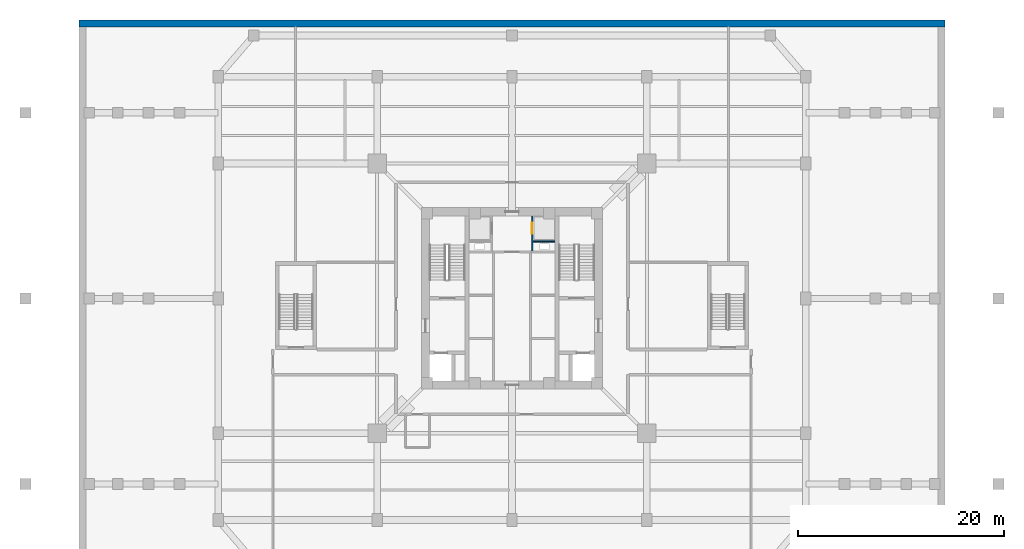
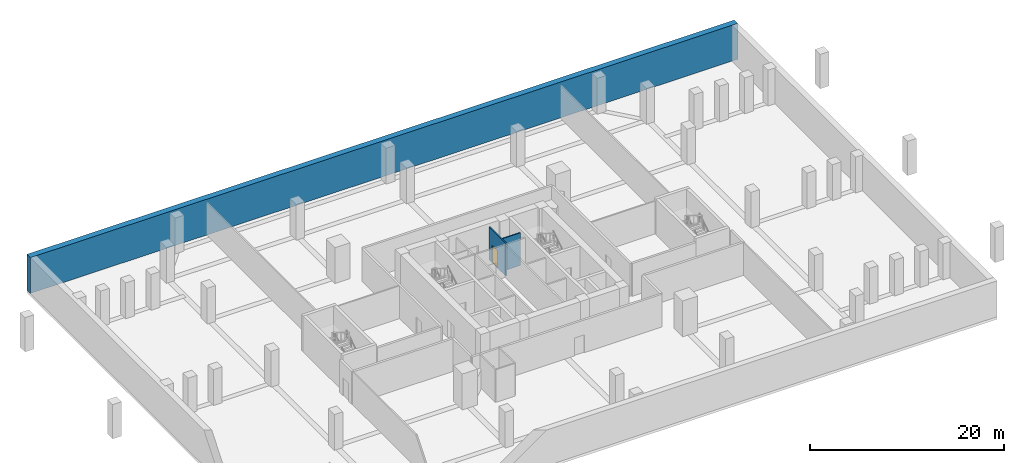
# One storey, part 4 of 9: 3 walls, 1 door, 1 opening.
"""IFC4 building model written with IfcOpenShell, lengths in metres."""

import ifcopenshell
import ifcopenshell.guid

model = None  # the IFC model being written
_history = None  # IfcOwnerHistory: only IFC2X3 demands one
_inside = {}  # id of a spatial element -> (the spatial element, [elements in it])
_under = {}  # id of a project, library or spatial element -> (it, [spatial elements below it])
_declared = {}  # id of a project -> (the project, [libraries it declares])
_typed = {}  # id of a type object -> (the type object, [elements of that type])
_made_of = {}  # id of a material, layer set ... -> (it, [elements and type objects made of it])


def new_model(schema):
    """Start an empty IFC model of exactly this schema.

    Asked for "IFC4X3", IfcOpenShell would pick the latest addendum, in which some entities
    have other attributes; the version numbers below select the first issue.
    IFC2X3 requires an IfcOwnerHistory on every rooted entity: one is made here for all.
    """
    global model, _history
    if schema == "IFC4X3":
        model = ifcopenshell.file(schema_version=(4, 3, 0, 0))
    else:
        model = ifcopenshell.file(schema=schema)
    _inside.clear()
    _under.clear()
    _declared.clear()
    _typed.clear()
    _made_of.clear()
    _history = None
    if model.schema == "IFC2X3":
        org = make("IfcOrganization", Name="unknown")
        user = make(
            "IfcPersonAndOrganization",
            ThePerson=make("IfcPerson", FamilyName="unknown"),
            TheOrganization=org,
        )
        app = make(
            "IfcApplication",
            ApplicationDeveloper=org,
            Version="unknown",
            ApplicationFullName="unknown",
            ApplicationIdentifier="unknown",
        )
        _history = make(
            "IfcOwnerHistory",
            OwningUser=user,
            OwningApplication=app,
            ChangeAction="ADDED",
            CreationDate=0,
        )
    return model


def make(cls, **values):
    """One entity of the class cls with the attributes given. An attribute that is None is left unset."""
    return model.create_entity(
        cls, **{name: value for name, value in values.items() if value is not None}
    )


def rooted(cls, **values):
    """An entity with a GlobalId (a new one), such as an element, a storey or a relation."""
    return make(cls, GlobalId=ifcopenshell.guid.new(), OwnerHistory=_history, **values)


def si_unit(unit_type, name, prefix=None):
    """IfcSIUnit, for example si_unit("LENGTHUNIT", "METRE", prefix="MILLI")."""
    return make("IfcSIUnit", UnitType=unit_type, Prefix=prefix, Name=name)


def assignment(units):
    """IfcUnitAssignment: the units of a project."""
    return None if units is None else make("IfcUnitAssignment", Units=units)


def point(xyz):
    """IfcCartesianPoint."""
    return None if xyz is None else make("IfcCartesianPoint", Coordinates=xyz)


def direction(xyz):
    """IfcDirection."""
    return None if xyz is None else make("IfcDirection", DirectionRatios=xyz)


def frame(location, z_axis=None, x_axis=None):
    """IfcAxis2Placement3D, a coordinate frame: its origin and axes. An axis left out is left unset."""
    return make(
        "IfcAxis2Placement3D",
        Location=point(location),
        Axis=direction(z_axis),
        RefDirection=direction(x_axis),
    )


def frame_2d(location, x_axis=None):
    """IfcAxis2Placement2D, a coordinate frame in the plane: its origin and x axis."""
    return make(
        "IfcAxis2Placement2D", Location=point(location), RefDirection=direction(x_axis)
    )


def origin():
    """The frame at (0, 0, 0) with its axes left unset."""
    return frame((0.0, 0.0, 0.0))


def place(relative_to, where):
    """IfcLocalPlacement: puts the frame where relative to a parent placement (None: the world)."""
    return make(
        "IfcLocalPlacement", PlacementRelTo=relative_to, RelativePlacement=where
    )


def context(
    kind, dimensions, precision=None, world=None, true_north=None, identifier=None
):
    """IfcGeometricRepresentationContext, for example the 3D "Model" context."""
    return make(
        "IfcGeometricRepresentationContext",
        ContextIdentifier=identifier,
        ContextType=kind,
        CoordinateSpaceDimension=dimensions,
        Precision=precision,
        WorldCoordinateSystem=world,
        TrueNorth=true_north,
    )


def subcontext(parent, identifier, kind, view, scale=None):
    """IfcGeometricRepresentationSubContext, for example "Body" below "Model"."""
    return make(
        "IfcGeometricRepresentationSubContext",
        ContextIdentifier=identifier,
        ContextType=kind,
        ParentContext=parent,
        TargetScale=scale,
        TargetView=view,
    )


def project(units=None, contexts=None):
    """IfcProject with its units and contexts."""
    return rooted(
        "IfcProject",
        Name="project",
        RepresentationContexts=contexts,
        UnitsInContext=assignment(units),
    )


def spatial(cls, under=None, at=None, **own):
    """A site, building, storey or space (cls), placed at a placement, below another one or the project."""
    s = rooted(cls, ObjectPlacement=at, **own)
    if under is not None:
        _under.setdefault(under.id(), (under, []))[1].append(s)
    return s


def profile(cls, at=None, kind="AREA", **sizes):
    """A parametric profile (cls). Its sizes go by their IFC names, for example OverallWidth=200.0."""
    return make(cls, ProfileType=kind, Position=at, **sizes)


def rectangle(**sizes):
    """IfcRectangleProfileDef."""
    return profile("IfcRectangleProfileDef", **sizes)


def extrude(swept, where, along, depth):
    """IfcExtrudedAreaSolid: the profile swept, set in the frame where, extruded along a direction by depth."""
    return make(
        "IfcExtrudedAreaSolid",
        SweptArea=swept,
        Position=where,
        ExtrudedDirection=direction(along),
        Depth=depth,
    )


def shape(context_of_items, identifier, shape_type, items):
    """IfcShapeRepresentation: the items that make up one representation, for example the "Body"."""
    return make(
        "IfcShapeRepresentation",
        ContextOfItems=context_of_items,
        RepresentationIdentifier=identifier,
        RepresentationType=shape_type,
        Items=items,
    )


def source(mapping_origin, context_of_items, identifier, shape_type, items):
    """IfcRepresentationMap: a shape defined once, which mapped items show again and again."""
    return make(
        "IfcRepresentationMap",
        MappingOrigin=mapping_origin,
        MappedRepresentation=shape(context_of_items, identifier, shape_type, items),
    )


def transform(
    local_origin,
    x_axis=None,
    y_axis=None,
    z_axis=None,
    scale=None,
    scale2=None,
    scale3=None,
    uniform=True,
):
    """IfcCartesianTransformationOperator3D, or its non-uniform kind. x_axis, y_axis, z_axis: its Axis1, 2, 3."""
    if uniform:
        return make(
            "IfcCartesianTransformationOperator3D",
            Axis1=direction(x_axis),
            Axis2=direction(y_axis),
            LocalOrigin=point(local_origin),
            Scale=scale,
            Axis3=direction(z_axis),
        )
    return make(
        "IfcCartesianTransformationOperator3DnonUniform",
        Axis1=direction(x_axis),
        Axis2=direction(y_axis),
        LocalOrigin=point(local_origin),
        Scale=scale,
        Axis3=direction(z_axis),
        Scale2=scale2,
        Scale3=scale3,
    )


def mapped(mapping_source, mapping_target):
    """IfcMappedItem: shows the shape of a source again, moved by a transform."""
    return make(
        "IfcMappedItem", MappingSource=mapping_source, MappingTarget=mapping_target
    )


def material(Name=None, Category=None):
    """IfcMaterial."""
    return make("IfcMaterial", Name=Name, Category=Category)


def layer(
    of_material, thickness, ventilated=None, Name=None, Category=None, Priority=None
):
    """IfcMaterialLayer: one layer of a wall or slab, of a material (None: an air gap)."""
    return make(
        "IfcMaterialLayer",
        Material=of_material,
        LayerThickness=thickness,
        IsVentilated=ventilated,
        Name=Name,
        Category=Category,
        Priority=Priority,
    )


def layer_set(layers, Name=None):
    """IfcMaterialLayerSet."""
    return make("IfcMaterialLayerSet", MaterialLayers=layers, LayerSetName=Name)


def made_of(thing, what):
    """Note that an element or type object is made of a material, layer set ...; save() writes the relation."""
    if what is not None:
        _made_of.setdefault(what.id(), (what, []))[1].append(thing)
    return thing


def type_object(cls, material=None, **own):
    """A type object (cls), such as IfcWallType, which elements share."""
    return made_of(rooted(cls, **own), material)


def element(
    cls,
    number,
    at=None,
    inside=None,
    cuts=None,
    type_object=None,
    material=None,
    context=None,
    identifier="Body",
    shape_type=None,
    held_by="IfcProductDefinitionShape",
    body=None,
    shapes=None,
    **own,
):
    """One element of the class cls, such as IfcWall. Its Tag is "e" and its number.

    at: its placement. inside: the storey or other place that contains it. cuts: it is an
    opening in that element (IfcRelVoidsElement). A single representation is given by context,
    identifier, shape_type and body (its items); several are given by shapes. held_by: the class
    of the entity that holds the representations. save() writes the other relations.
    """
    e = rooted(cls, Tag="e%d" % number, ObjectPlacement=at, **own)
    if body is not None:
        shapes = [shape(context, identifier, shape_type, body)]
    if shapes is not None:
        e.Representation = make(held_by, Representations=shapes)
    if inside is not None:
        _inside.setdefault(inside.id(), (inside, []))[1].append(e)
    if cuts is not None:
        rooted(
            "IfcRelVoidsElement", RelatingBuildingElement=cuts, RelatedOpeningElement=e
        )
    if type_object is not None:
        _typed.setdefault(type_object.id(), (type_object, []))[1].append(e)
    return made_of(e, material)


def fill(opening, filler):
    """IfcRelFillsElement: the door or window that sits in an opening."""
    return rooted(
        "IfcRelFillsElement",
        RelatingOpeningElement=opening,
        RelatedBuildingElement=filler,
    )


def aggregate(whole, parts):
    """IfcRelAggregates: a whole, such as a stair, and the parts it consists of."""
    return rooted("IfcRelAggregates", RelatingObject=whole, RelatedObjects=parts)


def save(model, path):
    """Write the relations noted so far, then the file.

    IfcRelAggregates (storeys below a building ...), IfcRelContainedInSpatialStructure (elements
    in a storey), IfcRelDefinesByType, IfcRelAssociatesMaterial and IfcRelDeclares: one each for
    every whole, place, type object, material and project.
    """
    for whole, parts in _under.values():
        aggregate(whole, parts)
    for where, things in _inside.values():
        rooted(
            "IfcRelContainedInSpatialStructure",
            RelatedElements=things,
            RelatingStructure=where,
        )
    for kind, things in _typed.values():
        rooted("IfcRelDefinesByType", RelatedObjects=things, RelatingType=kind)
    for what, things in _made_of.values():
        rooted("IfcRelAssociatesMaterial", RelatedObjects=things, RelatingMaterial=what)
    for by, libraries in _declared.values():
        rooted("IfcRelDeclares", RelatingContext=by, RelatedDefinitions=libraries)
    model.write(path)


model = new_model("IFC4")

# Units and contexts
model_context = context("Model", 3, precision=1e-05, world=origin(), true_north=direction((0.0, 1.0)))
body_context = subcontext(model_context, "Body", "Model", "MODEL_VIEW")
ifc_project = project(units=[si_unit("LENGTHUNIT", "METRE"), si_unit("AREAUNIT", "SQUARE_METRE"), si_unit("VOLUMEUNIT", "CUBIC_METRE"), si_unit("PLANEANGLEUNIT", "RADIAN"), si_unit("MASSUNIT", "GRAM", prefix="KILO"), si_unit("THERMODYNAMICTEMPERATUREUNIT", "KELVIN")], contexts=[model_context])

# Site, building, storey
site_placement = place(None, origin())
site = spatial("IfcSite", under=ifc_project, at=site_placement, CompositionType="ELEMENT")
building_placement = place(site_placement, origin())
building = spatial("IfcBuilding", under=site, at=building_placement, Name="Kosmvard Interchange Tower", CompositionType="ELEMENT")
storey_placement = place(building_placement, frame((0.0, 0.0, -4.5)))
storey = spatial("IfcBuildingStorey", under=building, at=storey_placement, Name="B01", CompositionType="ELEMENT", Elevation=-4.5)

# Wall
ifc_material_1 = material(Name="Concrete C50/60", Category="concrete")
ifc_layer_1 = layer(ifc_material_1, 0.699951171875, Name="Concrete C50/60")
ifc_layer_set_1 = layer_set([ifc_layer_1], Name="Concrete C50/60")
wall_type_1 = type_object("IfcWallType", Name="Basement Perimeter Retaining Wall 700 C50/60", PredefinedType="USERDEFINED", material=ifc_layer_set_1)
wall_1_placement = place(storey_placement, frame((-42.0, 26.64990234375, 0.0), z_axis=(0.0, 0.0, 1.0), x_axis=(1.0, 0.0, 0.0)))
element("IfcWall", 1, at=wall_1_placement, inside=storey, type_object=wall_type_1, Name="B01 Basement Retaining Wall RW-N", ObjectType="RETAINING", PredefinedType="USERDEFINED", context=body_context, shape_type="SweptSolid", body=[
    extrude(rectangle(XDim=84.0, YDim=0.699951171875, at=frame_2d((42.0, 0.0))), origin(), (0.0, 0.0, 1.0), 4.5),
])

# Wall, opening, door
ifc_material_2 = material(Name="Fire-rated gypsum partition system")
ifc_layer_2 = layer(ifc_material_2, 0.159912109375, Name="Fire-rated gypsum partition system")
ifc_layer_set_2 = layer_set([ifc_layer_2], Name="Fire-rated gypsum partition system")
wall_type_2 = type_object("IfcWallType", Name="Core Compartment & Shuttle Lobby Partition 160", PredefinedType="PARTITIONING", material=ifc_layer_set_2)
wall_2_placement = place(storey_placement, frame((1.9599609375, 4.580078125, 0.0), z_axis=(0.0, 0.0, 1.0), x_axis=(0.0, 1.0, 0.0)))
wall_2 = element("IfcWall", 2, at=wall_2_placement, inside=storey, type_object=wall_type_2, Name="B01 North Core East Wall", PredefinedType="PARTITIONING", context=body_context, shape_type="SweptSolid", body=[
    extrude(rectangle(XDim=3.39990234375, YDim=0.159912109375, at=frame_2d((1.699951171875, 0.0))), origin(), (0.0, 0.0, 1.0), 4.10009765625),
])
opening_placement = place(wall_2_placement, frame((1.669921875, 0.0, 0.0)))
opening = element("IfcOpeningElement", 3, at=opening_placement, cuts=wall_2, Name="Opening LD-OBS2-B01", PredefinedType="OPENING", context=body_context, shape_type="SweptSolid", body=[
    extrude(rectangle(XDim=1.10009765625, YDim=2.199951171875, at=frame_2d((0.550048828125, 1.10009765625))), frame((0.0, 0.08984375, 0.0), z_axis=(0.0, -1.0, 0.0), x_axis=(1.0, 0.0, 0.0)), (0.0, 0.0, 1.0), 0.179931640625),
])
ifc_material_3 = material(Name="Brushed stainless steel sliding leaf", Category="steel")
door_type = type_object("IfcDoorType", Name="Passenger Lift Sliding Landing Door 1100x2200 EI60", OperationType="DOUBLE_DOOR_SLIDING", PredefinedType="DOOR", material=ifc_material_3)
shared_shape = source(origin(), body_context, "Body", "SweptSolid", [
    extrude(rectangle(XDim=1.10009765625, YDim=2.199951171875, at=frame_2d((0.550048828125, 1.10009765625))), frame((0.0, 0.02490234375, 0.0), z_axis=(0.0, -1.0, 0.0), x_axis=(1.0, 0.0, 0.0)), (0.0, 0.0, 1.0), 0.050048828125),
])
door_placement = place(opening_placement, origin())
door = element("IfcDoor", 4, at=door_placement, inside=storey, type_object=door_type, Name="Lift OBS-2 Landing Door B01", OperationType="DOUBLE_DOOR_SLIDING", OverallHeight=2.199951171875, OverallWidth=1.10009765625, PredefinedType="DOOR", context=body_context, shape_type="MappedRepresentation", body=[
    mapped(shared_shape, transform((0.0, 0.0, 0.0), scale=1.0)),
])
fill(opening, door)

# Wall
ifc_material_4 = material(Name="Fire-rated gypsum shaftwall system")
ifc_layer_3 = layer(ifc_material_4, 0.1201171875, Name="Fire-rated gypsum shaftwall system")
ifc_layer_set_3 = layer_set([ifc_layer_3], Name="Fire-rated gypsum shaftwall system")
wall_type_3 = type_object("IfcWallType", Name="Shaft & Riser Fire Partition 120 EI60", PredefinedType="PARTITIONING", material=ifc_layer_set_3)
wall_3_placement = place(storey_placement, frame((2.06005859375, 5.52001953125, 0.0), z_axis=(0.0, 0.0, 1.0), x_axis=(1.0, 0.0, 0.0)))
element("IfcWall", 5, at=wall_3_placement, inside=storey, type_object=wall_type_3, Name="B01 Riser Shaft Divider E", PredefinedType="PARTITIONING", context=body_context, shape_type="SweptSolid", body=[
    extrude(rectangle(XDim=2.099853515625, YDim=0.1201171875, at=frame_2d((1.0498046875, 0.0))), origin(), (0.0, 0.0, 1.0), 4.10009765625),
])

save(model, "model.ifc")
